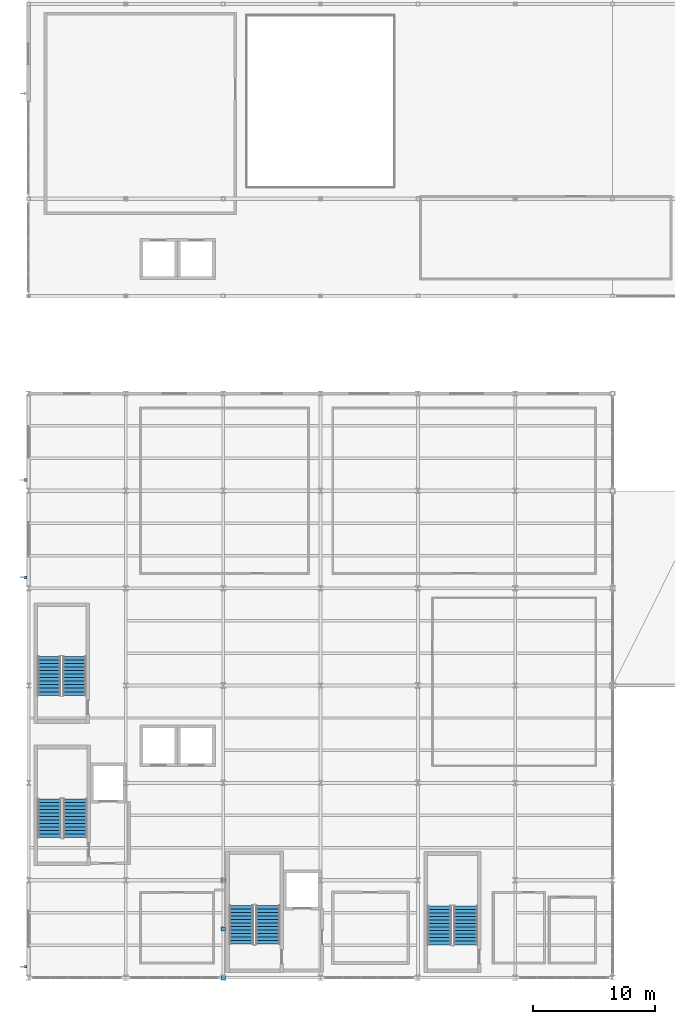
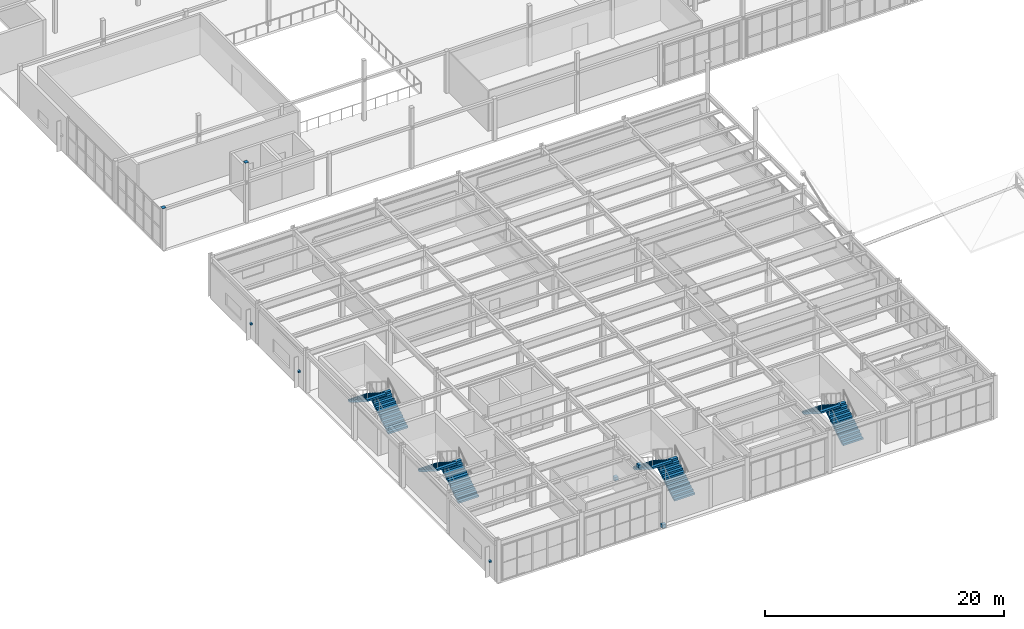
# One storey, part 59 of 83: 8 discrete accessories, 8 stair flights, 4 elements without a shape of their own.
"""IFC4 building model written with IfcOpenShell, lengths in metres."""

import ifcopenshell
import ifcopenshell.guid

model = None  # the IFC model being written
_history = None  # IfcOwnerHistory: only IFC2X3 demands one
_inside = {}  # id of a spatial element -> (the spatial element, [elements in it])
_under = {}  # id of a project, library or spatial element -> (it, [spatial elements below it])
_declared = {}  # id of a project -> (the project, [libraries it declares])
_typed = {}  # id of a type object -> (the type object, [elements of that type])
_made_of = {}  # id of a material, layer set ... -> (it, [elements and type objects made of it])


def new_model(schema):
    """Start an empty IFC model of exactly this schema.

    Asked for "IFC4X3", IfcOpenShell would pick the latest addendum, in which some entities
    have other attributes; the version numbers below select the first issue.
    IFC2X3 requires an IfcOwnerHistory on every rooted entity: one is made here for all.
    """
    global model, _history
    if schema == "IFC4X3":
        model = ifcopenshell.file(schema_version=(4, 3, 0, 0))
    else:
        model = ifcopenshell.file(schema=schema)
    _inside.clear()
    _under.clear()
    _declared.clear()
    _typed.clear()
    _made_of.clear()
    _history = None
    if model.schema == "IFC2X3":
        org = make("IfcOrganization", Name="unknown")
        user = make(
            "IfcPersonAndOrganization",
            ThePerson=make("IfcPerson", FamilyName="unknown"),
            TheOrganization=org,
        )
        app = make(
            "IfcApplication",
            ApplicationDeveloper=org,
            Version="unknown",
            ApplicationFullName="unknown",
            ApplicationIdentifier="unknown",
        )
        _history = make(
            "IfcOwnerHistory",
            OwningUser=user,
            OwningApplication=app,
            ChangeAction="ADDED",
            CreationDate=0,
        )
    return model


def make(cls, **values):
    """One entity of the class cls with the attributes given. An attribute that is None is left unset."""
    return model.create_entity(
        cls, **{name: value for name, value in values.items() if value is not None}
    )


def rooted(cls, **values):
    """An entity with a GlobalId (a new one), such as an element, a storey or a relation."""
    return make(cls, GlobalId=ifcopenshell.guid.new(), OwnerHistory=_history, **values)


def si_unit(unit_type, name, prefix=None):
    """IfcSIUnit, for example si_unit("LENGTHUNIT", "METRE", prefix="MILLI")."""
    return make("IfcSIUnit", UnitType=unit_type, Prefix=prefix, Name=name)


def assignment(units):
    """IfcUnitAssignment: the units of a project."""
    return None if units is None else make("IfcUnitAssignment", Units=units)


def point(xyz):
    """IfcCartesianPoint."""
    return None if xyz is None else make("IfcCartesianPoint", Coordinates=xyz)


def direction(xyz):
    """IfcDirection."""
    return None if xyz is None else make("IfcDirection", DirectionRatios=xyz)


def frame(location, z_axis=None, x_axis=None):
    """IfcAxis2Placement3D, a coordinate frame: its origin and axes. An axis left out is left unset."""
    return make(
        "IfcAxis2Placement3D",
        Location=point(location),
        Axis=direction(z_axis),
        RefDirection=direction(x_axis),
    )


def frame_2d(location, x_axis=None):
    """IfcAxis2Placement2D, a coordinate frame in the plane: its origin and x axis."""
    return make(
        "IfcAxis2Placement2D", Location=point(location), RefDirection=direction(x_axis)
    )


def origin():
    """The frame at (0, 0, 0) with its axes left unset."""
    return frame((0.0, 0.0, 0.0))


def origin_2d():
    """The frame at (0, 0) in the plane with its x axis left unset."""
    return frame_2d((0.0, 0.0))


def place(relative_to, where):
    """IfcLocalPlacement: puts the frame where relative to a parent placement (None: the world)."""
    return make(
        "IfcLocalPlacement", PlacementRelTo=relative_to, RelativePlacement=where
    )


def context(
    kind, dimensions, precision=None, world=None, true_north=None, identifier=None
):
    """IfcGeometricRepresentationContext, for example the 3D "Model" context."""
    return make(
        "IfcGeometricRepresentationContext",
        ContextIdentifier=identifier,
        ContextType=kind,
        CoordinateSpaceDimension=dimensions,
        Precision=precision,
        WorldCoordinateSystem=world,
        TrueNorth=true_north,
    )


def subcontext(parent, identifier, kind, view, scale=None):
    """IfcGeometricRepresentationSubContext, for example "Body" below "Model"."""
    return make(
        "IfcGeometricRepresentationSubContext",
        ContextIdentifier=identifier,
        ContextType=kind,
        ParentContext=parent,
        TargetScale=scale,
        TargetView=view,
    )


def project(units=None, contexts=None):
    """IfcProject with its units and contexts."""
    return rooted(
        "IfcProject",
        Name="project",
        RepresentationContexts=contexts,
        UnitsInContext=assignment(units),
    )


def spatial(cls, under=None, at=None, **own):
    """A site, building, storey or space (cls), placed at a placement, below another one or the project."""
    s = rooted(cls, ObjectPlacement=at, **own)
    if under is not None:
        _under.setdefault(under.id(), (under, []))[1].append(s)
    return s


def polyline(points):
    """IfcPolyline through the points."""
    return make("IfcPolyline", Points=[point(p) for p in points])


def profile(cls, at=None, kind="AREA", **sizes):
    """A parametric profile (cls). Its sizes go by their IFC names, for example OverallWidth=200.0."""
    return make(cls, ProfileType=kind, Position=at, **sizes)


def rectangle(**sizes):
    """IfcRectangleProfileDef."""
    return profile("IfcRectangleProfileDef", **sizes)


def outline(outer, holes=None, kind="AREA"):
    """IfcArbitraryClosedProfileDef: a profile drawn as a closed curve; with holes, ...WithVoids."""
    if holes is None:
        return make("IfcArbitraryClosedProfileDef", ProfileType=kind, OuterCurve=outer)
    return make(
        "IfcArbitraryProfileDefWithVoids",
        ProfileType=kind,
        OuterCurve=outer,
        InnerCurves=holes,
    )


def extrude(swept, where, along, depth):
    """IfcExtrudedAreaSolid: the profile swept, set in the frame where, extruded along a direction by depth."""
    return make(
        "IfcExtrudedAreaSolid",
        SweptArea=swept,
        Position=where,
        ExtrudedDirection=direction(along),
        Depth=depth,
    )


def shape(context_of_items, identifier, shape_type, items):
    """IfcShapeRepresentation: the items that make up one representation, for example the "Body"."""
    return make(
        "IfcShapeRepresentation",
        ContextOfItems=context_of_items,
        RepresentationIdentifier=identifier,
        RepresentationType=shape_type,
        Items=items,
    )


def material(Name=None, Category=None):
    """IfcMaterial."""
    return make("IfcMaterial", Name=Name, Category=Category)


def made_of(thing, what):
    """Note that an element or type object is made of a material, layer set ...; save() writes the relation."""
    if what is not None:
        _made_of.setdefault(what.id(), (what, []))[1].append(thing)
    return thing


def type_object(cls, material=None, **own):
    """A type object (cls), such as IfcWallType, which elements share."""
    return made_of(rooted(cls, **own), material)


def element(
    cls,
    number,
    at=None,
    inside=None,
    cuts=None,
    type_object=None,
    material=None,
    context=None,
    identifier="Body",
    shape_type=None,
    held_by="IfcProductDefinitionShape",
    body=None,
    shapes=None,
    **own,
):
    """One element of the class cls, such as IfcWall. Its Tag is "e" and its number.

    at: its placement. inside: the storey or other place that contains it. cuts: it is an
    opening in that element (IfcRelVoidsElement). A single representation is given by context,
    identifier, shape_type and body (its items); several are given by shapes. held_by: the class
    of the entity that holds the representations. save() writes the other relations.
    """
    e = rooted(cls, Tag="e%d" % number, ObjectPlacement=at, **own)
    if body is not None:
        shapes = [shape(context, identifier, shape_type, body)]
    if shapes is not None:
        e.Representation = make(held_by, Representations=shapes)
    if inside is not None:
        _inside.setdefault(inside.id(), (inside, []))[1].append(e)
    if cuts is not None:
        rooted(
            "IfcRelVoidsElement", RelatingBuildingElement=cuts, RelatedOpeningElement=e
        )
    if type_object is not None:
        _typed.setdefault(type_object.id(), (type_object, []))[1].append(e)
    return made_of(e, material)


def aggregate(whole, parts):
    """IfcRelAggregates: a whole, such as a stair, and the parts it consists of."""
    return rooted("IfcRelAggregates", RelatingObject=whole, RelatedObjects=parts)


def save(model, path):
    """Write the relations noted so far, then the file.

    IfcRelAggregates (storeys below a building ...), IfcRelContainedInSpatialStructure (elements
    in a storey), IfcRelDefinesByType, IfcRelAssociatesMaterial and IfcRelDeclares: one each for
    every whole, place, type object, material and project.
    """
    for whole, parts in _under.values():
        aggregate(whole, parts)
    for where, things in _inside.values():
        rooted(
            "IfcRelContainedInSpatialStructure",
            RelatedElements=things,
            RelatingStructure=where,
        )
    for kind, things in _typed.values():
        rooted("IfcRelDefinesByType", RelatedObjects=things, RelatingType=kind)
    for what, things in _made_of.values():
        rooted("IfcRelAssociatesMaterial", RelatedObjects=things, RelatingMaterial=what)
    for by, libraries in _declared.values():
        rooted("IfcRelDeclares", RelatingContext=by, RelatedDefinitions=libraries)
    model.write(path)


model = new_model("IFC4")

# Units and contexts
model_context = context("Model", 3, precision=1e-05, world=origin(), true_north=direction((0.0, 1.0)))
body_context = subcontext(model_context, "Body", "Model", "MODEL_VIEW")
ifc_project = project(units=[si_unit("LENGTHUNIT", "METRE"), si_unit("AREAUNIT", "SQUARE_METRE"), si_unit("VOLUMEUNIT", "CUBIC_METRE"), si_unit("PLANEANGLEUNIT", "RADIAN"), si_unit("MASSUNIT", "GRAM", prefix="KILO")], contexts=[model_context])

# Site, building, storey
site_placement = place(None, origin())
site = spatial("IfcSite", under=ifc_project, at=site_placement, CompositionType="ELEMENT")
building_placement = place(site_placement, origin())
building = spatial("IfcBuilding", under=site, at=building_placement, Name="Drelvath Fold Interchange", CompositionType="ELEMENT")
storey_placement = place(building_placement, frame((0.0, 0.0, 11.199951171875)))
storey = spatial("IfcBuildingStorey", under=building, at=storey_placement, Name="L02", CompositionType="ELEMENT", Elevation=11.199951171875)

# Stair, stair flights
ifc_material_1 = material(Name="Concrete f'c 35 MPa (5000 psi)", Category="concrete")
stair_type_1 = type_object("IfcStairType", Name="STR-01", PredefinedType="HALF_TURN_STAIR", material=ifc_material_1)
stair_1_placement = place(storey_placement, origin())
stair_1 = element("IfcStair", 1, at=stair_1_placement, inside=storey, type_object=stair_type_1, Name="L02 Protected Exit Stair ST-01", PredefinedType="HALF_TURN_STAIR")
stair_flight_type_1 = type_object("IfcStairFlightType", Name="STF-01", PredefinedType="STRAIGHT", material=ifc_material_1)
stair_flight_1_placement = place(storey_placement, frame((7.844970703125, 14.5, 0.0), z_axis=(0.0, 0.0, 1.0), x_axis=(0.0, 1.0, 0.0)))
stair_flight_1 = element("IfcStairFlight", 2, at=stair_flight_1_placement, type_object=stair_flight_type_1, Name="ST-01 flight 1", NumberOfRisers=12, NumberOfTreads=11, PredefinedType="STRAIGHT", RiserHeight=0.183333333, TreadLength=0.29, context=body_context, shape_type="SweptSolid", body=[
    extrude(outline(polyline([(0.0, 0.0), (0.0, 0.183349609375), (0.2900390625, 0.183349609375), (0.2900390625, 0.36669921875), (0.580078125, 0.36669921875), (0.580078125, 0.550048828125), (0.8701171875, 0.550048828125), (0.8701171875, 0.7333984375), (1.159912109375, 0.7333984375), (1.159912109375, 0.916748046875), (1.449951171875, 0.916748046875), (1.449951171875, 1.10009765625), (1.739990234375, 1.10009765625), (1.739990234375, 1.283447265625), (2.030029296875, 1.283447265625), (2.030029296875, 1.466552734375), (2.320068359375, 1.466552734375), (2.320068359375, 1.64990234375), (2.610107421875, 1.64990234375), (2.610107421875, 1.833251953125), (2.89990234375, 1.833251953125), (2.89990234375, 2.0166015625), (3.18994140625, 2.0166015625), (3.18994140625, 2.199951171875), (3.18994140625, 1.83935546875), (0.280517578125, 0.0), (0.0, 0.0)])), frame((0.0, 0.96484375, 0.0), z_axis=(0.0, -1.0, 0.0), x_axis=(1.0, 0.0, 0.0)), (0.0, 0.0, 1.0), 1.929931640625),
])
stair_flight_2_placement = place(storey_placement, frame((5.715087890625, 17.68994140625, 2.199951171875), z_axis=(0.0, 0.0, 1.0), x_axis=(0.0, -1.0, 0.0)))
stair_flight_2 = element("IfcStairFlight", 3, at=stair_flight_2_placement, type_object=stair_flight_type_1, Name="ST-01 flight 2", NumberOfRisers=12, NumberOfTreads=11, PredefinedType="STRAIGHT", RiserHeight=0.183333333, TreadLength=0.29, context=body_context, shape_type="SweptSolid", body=[
    extrude(outline(polyline([(0.0, 0.0), (0.0, 0.183349609375), (0.2900390625, 0.183349609375), (0.2900390625, 0.36669921875), (0.580078125, 0.36669921875), (0.580078125, 0.550048828125), (0.8701171875, 0.550048828125), (0.8701171875, 0.7333984375), (1.159912109375, 0.7333984375), (1.159912109375, 0.916748046875), (1.449951171875, 0.916748046875), (1.449951171875, 1.10009765625), (1.739990234375, 1.10009765625), (1.739990234375, 1.283447265625), (2.030029296875, 1.283447265625), (2.030029296875, 1.466552734375), (2.320068359375, 1.466552734375), (2.320068359375, 1.64990234375), (2.610107421875, 1.64990234375), (2.610107421875, 1.833251953125), (2.89990234375, 1.833251953125), (2.89990234375, 2.0166015625), (3.18994140625, 2.0166015625), (3.18994140625, 2.199951171875), (3.18994140625, 1.83935546875), (0.280517578125, 0.0), (0.0, 0.0)])), frame((0.0, 0.96484375, 0.0), z_axis=(0.0, -1.0, 0.0), x_axis=(1.0, 0.0, 0.0)), (0.0, 0.0, 1.0), 1.929931640625),
])
aggregate(stair_1, [stair_flight_1, stair_flight_2])

stair_type_2 = type_object("IfcStairType", Name="STR-02", PredefinedType="HALF_TURN_STAIR", material=ifc_material_1)
stair_2_placement = place(storey_placement, origin())
stair_2 = element("IfcStair", 4, at=stair_2_placement, inside=storey, type_object=stair_type_2, Name="L02 Protected Exit Stair ST-02", PredefinedType="HALF_TURN_STAIR")
stair_flight_type_2 = type_object("IfcStairFlightType", Name="STF-02", PredefinedType="STRAIGHT", material=ifc_material_1)
stair_flight_3_placement = place(storey_placement, frame((7.784912109375, 26.199951171875, 0.0), z_axis=(0.0, 0.0, 1.0), x_axis=(0.0, 1.0, 0.0)))
stair_flight_3 = element("IfcStairFlight", 5, at=stair_flight_3_placement, type_object=stair_flight_type_2, Name="ST-02 flight 1", NumberOfRisers=12, NumberOfTreads=11, PredefinedType="STRAIGHT", RiserHeight=0.183333333, TreadLength=0.29, context=body_context, shape_type="SweptSolid", body=[
    extrude(outline(polyline([(0.0, 0.0), (0.0, 0.183349609375), (0.2900390625, 0.183349609375), (0.2900390625, 0.36669921875), (0.580078125, 0.36669921875), (0.580078125, 0.550048828125), (0.8701171875, 0.550048828125), (0.8701171875, 0.7333984375), (1.159912109375, 0.7333984375), (1.159912109375, 0.916748046875), (1.449951171875, 0.916748046875), (1.449951171875, 1.10009765625), (1.739990234375, 1.10009765625), (1.739990234375, 1.283447265625), (2.030029296875, 1.283447265625), (2.030029296875, 1.466552734375), (2.320068359375, 1.466552734375), (2.320068359375, 1.64990234375), (2.610107421875, 1.64990234375), (2.610107421875, 1.833251953125), (2.89990234375, 1.833251953125), (2.89990234375, 2.0166015625), (3.18994140625, 2.0166015625), (3.18994140625, 2.199951171875), (3.18994140625, 1.83935546875), (0.280517578125, 0.0), (0.0, 0.0)])), frame((0.0, 0.94482421875, 0.0), z_axis=(0.0, -1.0, 0.0), x_axis=(1.0, 0.0, 0.0)), (0.0, 0.0, 1.0), 1.889892578125),
])
stair_flight_4_placement = place(storey_placement, frame((5.695068359375, 29.389892578125, 2.199951171875), z_axis=(0.0, 0.0, 1.0), x_axis=(0.0, -1.0, 0.0)))
stair_flight_4 = element("IfcStairFlight", 6, at=stair_flight_4_placement, type_object=stair_flight_type_2, Name="ST-02 flight 2", NumberOfRisers=12, NumberOfTreads=11, PredefinedType="STRAIGHT", RiserHeight=0.183333333, TreadLength=0.29, context=body_context, shape_type="SweptSolid", body=[
    extrude(outline(polyline([(0.0, 0.0), (0.0, 0.183349609375), (0.2900390625, 0.183349609375), (0.2900390625, 0.36669921875), (0.580078125, 0.36669921875), (0.580078125, 0.550048828125), (0.8701171875, 0.550048828125), (0.8701171875, 0.7333984375), (1.159912109375, 0.7333984375), (1.159912109375, 0.916748046875), (1.449951171875, 0.916748046875), (1.449951171875, 1.10009765625), (1.739990234375, 1.10009765625), (1.739990234375, 1.283447265625), (2.030029296875, 1.283447265625), (2.030029296875, 1.466552734375), (2.320068359375, 1.466552734375), (2.320068359375, 1.64990234375), (2.610107421875, 1.64990234375), (2.610107421875, 1.833251953125), (2.89990234375, 1.833251953125), (2.89990234375, 2.0166015625), (3.18994140625, 2.0166015625), (3.18994140625, 2.199951171875), (3.18994140625, 1.83935546875), (0.280517578125, 0.0), (0.0, 0.0)])), frame((0.0, 0.94482421875, 0.0), z_axis=(0.0, -1.0, 0.0), x_axis=(1.0, 0.0, 0.0)), (0.0, 0.0, 1.0), 1.889892578125),
])
aggregate(stair_2, [stair_flight_3, stair_flight_4])

stair_type_3 = type_object("IfcStairType", Name="STR-03", PredefinedType="HALF_TURN_STAIR", material=ifc_material_1)
stair_3_placement = place(storey_placement, origin())
stair_3 = element("IfcStair", 7, at=stair_3_placement, inside=storey, type_object=stair_type_3, Name="L02 Protected Exit Stair ST-03", PredefinedType="HALF_TURN_STAIR")
stair_flight_type_3 = type_object("IfcStairFlightType", Name="STF-03", PredefinedType="STRAIGHT", material=ifc_material_1)
stair_flight_5_placement = place(storey_placement, frame((23.669921875, 5.75, 0.0), z_axis=(0.0, 0.0, 1.0), x_axis=(0.0, 1.0, 0.0)))
stair_flight_5 = element("IfcStairFlight", 8, at=stair_flight_5_placement, type_object=stair_flight_type_3, Name="ST-03 flight 1", NumberOfRisers=12, NumberOfTreads=11, PredefinedType="STRAIGHT", RiserHeight=0.183333333, TreadLength=0.29, context=body_context, shape_type="SweptSolid", body=[
    extrude(outline(polyline([(0.0, 0.0), (0.0, 0.183349609375), (0.2900390625, 0.183349609375), (0.2900390625, 0.36669921875), (0.580078125, 0.36669921875), (0.580078125, 0.550048828125), (0.8701171875, 0.550048828125), (0.8701171875, 0.7333984375), (1.159912109375, 0.7333984375), (1.159912109375, 0.916748046875), (1.449951171875, 0.916748046875), (1.449951171875, 1.10009765625), (1.739990234375, 1.10009765625), (1.739990234375, 1.283447265625), (2.030029296875, 1.283447265625), (2.030029296875, 1.466552734375), (2.320068359375, 1.466552734375), (2.320068359375, 1.64990234375), (2.610107421875, 1.64990234375), (2.610107421875, 1.833251953125), (2.89990234375, 1.833251953125), (2.89990234375, 2.0166015625), (3.18994140625, 2.0166015625), (3.18994140625, 2.199951171875), (3.18994140625, 1.83935546875), (0.280517578125, 0.0), (0.0, 0.0)])), frame((0.0, 0.989990234375, 0.0), z_axis=(0.0, -1.0, 0.0), x_axis=(1.0, 0.0, 0.0)), (0.0, 0.0, 1.0), 1.97998046875),
])
stair_flight_6_placement = place(storey_placement, frame((21.489990234375, 8.93994140625, 2.199951171875), z_axis=(0.0, 0.0, 1.0), x_axis=(0.0, -1.0, 0.0)))
stair_flight_6 = element("IfcStairFlight", 9, at=stair_flight_6_placement, type_object=stair_flight_type_3, Name="ST-03 flight 2", NumberOfRisers=12, NumberOfTreads=11, PredefinedType="STRAIGHT", RiserHeight=0.183333333, TreadLength=0.29, context=body_context, shape_type="SweptSolid", body=[
    extrude(outline(polyline([(0.0, 0.0), (0.0, 0.183349609375), (0.2900390625, 0.183349609375), (0.2900390625, 0.36669921875), (0.580078125, 0.36669921875), (0.580078125, 0.550048828125), (0.8701171875, 0.550048828125), (0.8701171875, 0.7333984375), (1.159912109375, 0.7333984375), (1.159912109375, 0.916748046875), (1.449951171875, 0.916748046875), (1.449951171875, 1.10009765625), (1.739990234375, 1.10009765625), (1.739990234375, 1.283447265625), (2.030029296875, 1.283447265625), (2.030029296875, 1.466552734375), (2.320068359375, 1.466552734375), (2.320068359375, 1.64990234375), (2.610107421875, 1.64990234375), (2.610107421875, 1.833251953125), (2.89990234375, 1.833251953125), (2.89990234375, 2.0166015625), (3.18994140625, 2.0166015625), (3.18994140625, 2.199951171875), (3.18994140625, 1.83935546875), (0.280517578125, 0.0), (0.0, 0.0)])), frame((0.0, 0.989990234375, 0.0), z_axis=(0.0, -1.0, 0.0), x_axis=(1.0, 0.0, 0.0)), (0.0, 0.0, 1.0), 1.97998046875),
])
aggregate(stair_3, [stair_flight_5, stair_flight_6])

stair_type_4 = type_object("IfcStairType", Name="STR-04", PredefinedType="HALF_TURN_STAIR", material=ifc_material_1)
stair_4_placement = place(storey_placement, origin())
stair_4 = element("IfcStair", 10, at=stair_4_placement, inside=storey, type_object=stair_type_4, Name="L02 Protected Exit Stair ST-04", PredefinedType="HALF_TURN_STAIR")
stair_flight_type_4 = type_object("IfcStairFlightType", Name="STF-04", PredefinedType="STRAIGHT", material=ifc_material_1)
stair_flight_7_placement = place(storey_placement, frame((39.925048828125, 5.699951171875, 0.0), z_axis=(0.0, 0.0, 1.0), x_axis=(0.0, 1.0, 0.0)))
stair_flight_7 = element("IfcStairFlight", 11, at=stair_flight_7_placement, type_object=stair_flight_type_4, Name="ST-04 flight 1", NumberOfRisers=12, NumberOfTreads=11, PredefinedType="STRAIGHT", RiserHeight=0.183333333, TreadLength=0.29, context=body_context, shape_type="SweptSolid", body=[
    extrude(outline(polyline([(0.0, 0.0), (0.0, 0.183349609375), (0.2900390625, 0.183349609375), (0.2900390625, 0.36669921875), (0.580078125, 0.36669921875), (0.580078125, 0.550048828125), (0.8701171875, 0.550048828125), (0.8701171875, 0.7333984375), (1.159912109375, 0.7333984375), (1.159912109375, 0.916748046875), (1.449951171875, 0.916748046875), (1.449951171875, 1.10009765625), (1.739990234375, 1.10009765625), (1.739990234375, 1.283447265625), (2.030029296875, 1.283447265625), (2.030029296875, 1.466552734375), (2.320068359375, 1.466552734375), (2.320068359375, 1.64990234375), (2.610107421875, 1.64990234375), (2.610107421875, 1.833251953125), (2.89990234375, 1.833251953125), (2.89990234375, 2.0166015625), (3.18994140625, 2.0166015625), (3.18994140625, 2.199951171875), (3.18994140625, 1.83935546875), (0.280517578125, 0.0), (0.0, 0.0)])), frame((0.0, 0.97509765625, 0.0), z_axis=(0.0, -1.0, 0.0), x_axis=(1.0, 0.0, 0.0)), (0.0, 0.0, 1.0), 1.949951171875),
])
stair_flight_8_placement = place(storey_placement, frame((37.77490234375, 8.889892578125, 2.199951171875), z_axis=(0.0, 0.0, 1.0), x_axis=(0.0, -1.0, 0.0)))
stair_flight_8 = element("IfcStairFlight", 12, at=stair_flight_8_placement, type_object=stair_flight_type_4, Name="ST-04 flight 2", NumberOfRisers=12, NumberOfTreads=11, PredefinedType="STRAIGHT", RiserHeight=0.183333333, TreadLength=0.29, context=body_context, shape_type="SweptSolid", body=[
    extrude(outline(polyline([(0.0, 0.0), (0.0, 0.183349609375), (0.2900390625, 0.183349609375), (0.2900390625, 0.36669921875), (0.580078125, 0.36669921875), (0.580078125, 0.550048828125), (0.8701171875, 0.550048828125), (0.8701171875, 0.7333984375), (1.159912109375, 0.7333984375), (1.159912109375, 0.916748046875), (1.449951171875, 0.916748046875), (1.449951171875, 1.10009765625), (1.739990234375, 1.10009765625), (1.739990234375, 1.283447265625), (2.030029296875, 1.283447265625), (2.030029296875, 1.466552734375), (2.320068359375, 1.466552734375), (2.320068359375, 1.64990234375), (2.610107421875, 1.64990234375), (2.610107421875, 1.833251953125), (2.89990234375, 1.833251953125), (2.89990234375, 2.0166015625), (3.18994140625, 2.0166015625), (3.18994140625, 2.199951171875), (3.18994140625, 1.83935546875), (0.280517578125, 0.0), (0.0, 0.0)])), frame((0.0, 0.97509765625, 0.0), z_axis=(0.0, -1.0, 0.0), x_axis=(1.0, 0.0, 0.0)), (0.0, 0.0, 1.0), 1.949951171875),
])
aggregate(stair_4, [stair_flight_7, stair_flight_8])

# Discrete accessories
ifc_material_2 = material(Name="Stainless Steel 316L", Category="steel")
discrete_accessory_type_1 = type_object("IfcDiscreteAccessoryType", Name="AC-BRK220", PredefinedType="BRACKET", material=ifc_material_2)
for number, where, z_axis, x_axis, name in (
    (13, (3.762939453125, 3.89208984375, 1.5703125), (0.0, 0.0, 1.0), (1.0, 0.0, 0.0), "Solar fin bracket 25"),
    (14, (3.762939453125, 35.89306640625, 1.5703125), (0.0, 0.0, 1.0), (1.0, 0.0, 0.0), "Solar fin bracket 26"),
    (15, (3.762939453125, 43.89306640625, 1.5703125), (0.0, 0.0, 1.0), (1.0, 0.0, 0.0), "Solar fin bracket 27"),
):
    element("IfcDiscreteAccessory", number, at=place(storey_placement, frame(where, z_axis=z_axis, x_axis=x_axis)), inside=storey, type_object=discrete_accessory_type_1, Name=name, PredefinedType="BRACKET", context=body_context, shape_type="SweptSolid", body=[
        extrude(rectangle(XDim=0.239990234375, YDim=0.239990234375, at=origin_2d()), origin(), (0.0, 0.0, 1.0), 0.159912109375),
    ])
ifc_material_3 = material(Name="Steel ASTM A572 Grade 50", Category="steel")
discrete_accessory_type_2 = type_object("IfcDiscreteAccessoryType", Name="AC-CAP380", PredefinedType="BRACKET", material=ifc_material_3)
for number, where, z_axis, x_axis, name in (
    (16, (4.0, 59.0, 4.2900390625), (0.0, 0.0, 1.0), (1.0, 0.0, 0.0), "Welded hollow column end cap 35"),
    (17, (12.0, 59.0, 6.14013671875), (0.0, 0.0, 1.0), (1.0, 0.0, 0.0), "Welded hollow column end cap 40"),
):
    element("IfcDiscreteAccessory", number, at=place(storey_placement, frame(where, z_axis=z_axis, x_axis=x_axis)), inside=storey, type_object=discrete_accessory_type_2, Name=name, PredefinedType="BRACKET", context=body_context, shape_type="SweptSolid", body=[
        extrude(rectangle(XDim=0.344970703125, YDim=0.344970703125, at=origin_2d()), origin(), (0.0, 0.0, 1.0), 0.030029296875),
    ])
for number, where, z_axis, x_axis, name in (
    (18, (20.0, 2.99609375, -0.0146484375), (0.0, 0.0, 1.0), (1.0, 0.0, 0.0), "Welded hollow member end cap 539"),
    (19, (20.0, 7.00390625, 3.6923828125), (0.0, 0.0, 1.0), (1.0, 0.0, 0.0), "Welded hollow member end cap 540"),
    (20, (20.0, 11.00390625, -0.0146484375), (0.0, 0.0, 1.0), (1.0, 0.0, 0.0), "Welded hollow member end cap 541"),
):
    element("IfcDiscreteAccessory", number, at=place(storey_placement, frame(where, z_axis=z_axis, x_axis=x_axis)), inside=storey, type_object=discrete_accessory_type_2, Name=name, PredefinedType="BRACKET", context=body_context, shape_type="SweptSolid", body=[
        extrude(rectangle(XDim=0.343017578125, YDim=0.343017578125, at=origin_2d()), origin(), (0.0, 0.0, 1.0), 0.343017578125),
    ])

save(model, "model.ifc")
